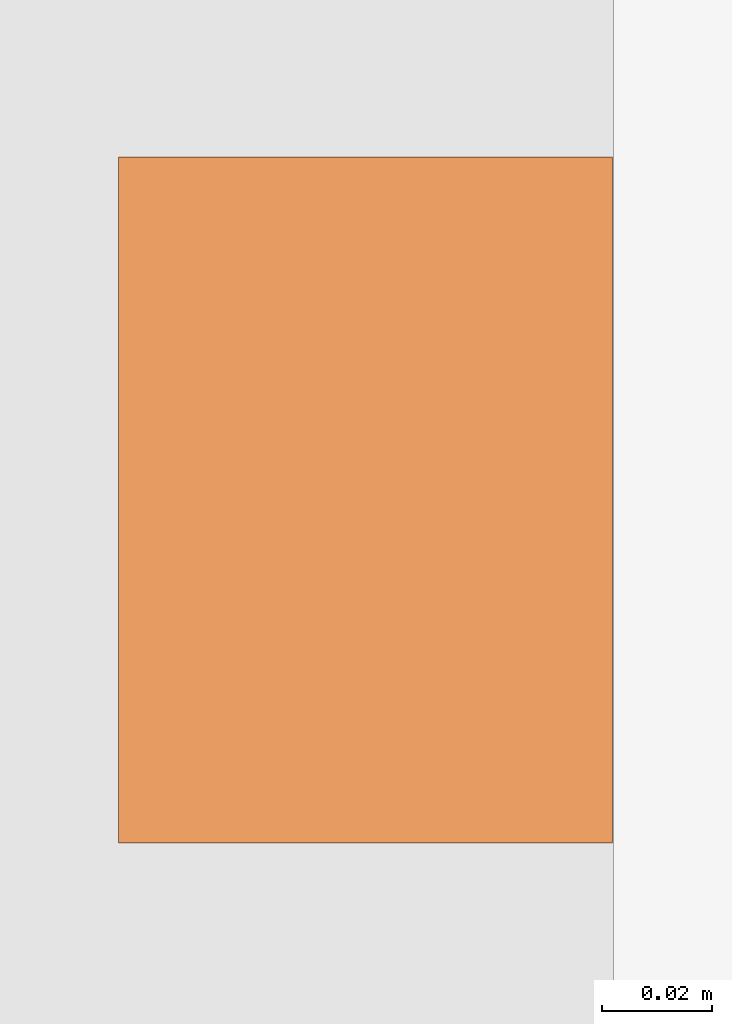
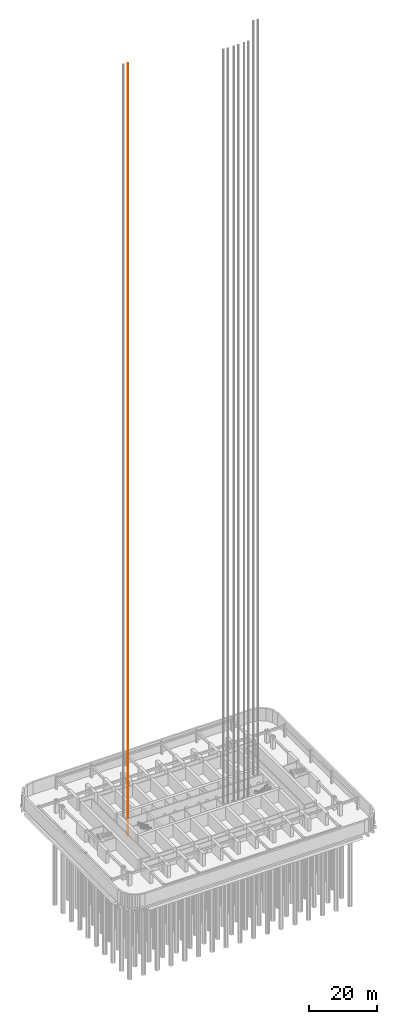
# One storey, part 26 of 28: 1 proxy.
"""IFC4 building model written with IfcOpenShell, lengths in metres."""

from ifc_helpers import new_model, si_unit, direction, frame, origin, origin_2d, place, context, subcontext, project, spatial, rectangle, extrude, material, element, save


model = new_model("IFC4")

# Units and contexts
model_context = context("Model", 3, precision=1e-05, world=origin(), true_north=direction((0.0, 1.0)))
body_context = subcontext(model_context, "Body", "Model", "MODEL_VIEW")
ifc_project = project(units=[si_unit("LENGTHUNIT", "METRE"), si_unit("AREAUNIT", "SQUARE_METRE"), si_unit("VOLUMEUNIT", "CUBIC_METRE"), si_unit("PLANEANGLEUNIT", "RADIAN"), si_unit("MASSUNIT", "GRAM", prefix="KILO")], contexts=[model_context])

# Site, building, storey
site_placement = place(None, origin())
site = spatial("IfcSite", under=ifc_project, at=site_placement, CompositionType="ELEMENT")
building_placement = place(site_placement, origin())
building = spatial("IfcBuilding", under=site, at=building_placement, Name="Orbita Commons", CompositionType="ELEMENT")
storey_placement = place(building_placement, frame((0.0, 0.0, -9.0)))
storey = spatial("IfcBuildingStorey", under=building, at=storey_placement, Name="L-02", CompositionType="ELEMENT", Elevation=-9.0)

# Proxy
ifc_material = material(Name="Machined steel guide rail", Category="steel")
placement = place(storey_placement, frame((19.800048828125, 36.39990234375, 0.0), z_axis=(0.0, 0.0, 1.0), x_axis=(1.0, 0.0, 0.0)))
proxy_placement = place(placement, frame((0.7548828125, 0.0, -3.199951171875)))
element("IfcBuildingElementProxy", 1, at=proxy_placement, inside=storey, material=ifc_material, Name="FL1 guide rail 2", ObjectType="GUIDE RAIL", PredefinedType="USERDEFINED", context=body_context, shape_type="SweptSolid", body=[
    extrude(rectangle(XDim=0.09, YDim=0.125, at=origin_2d()), origin(), (0.0, 0.0, 1.0), 279.0),
])

save(model, "model.ifc")
